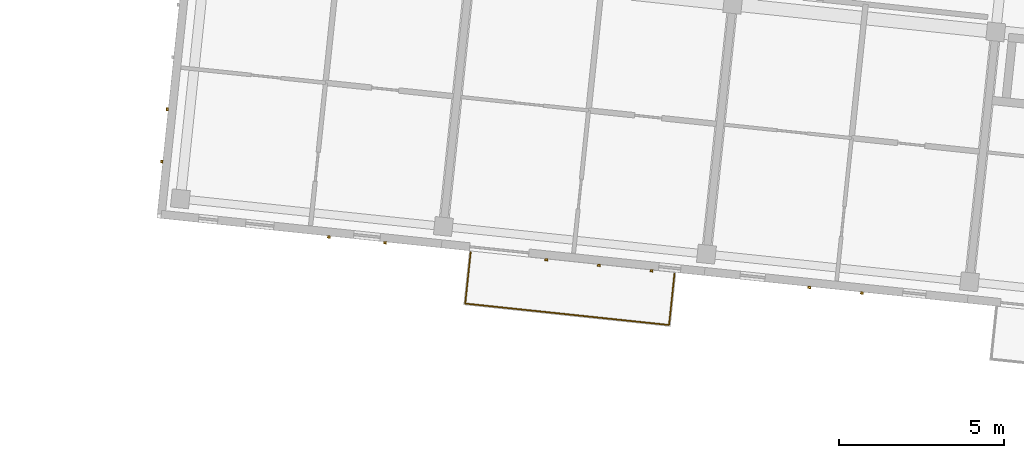
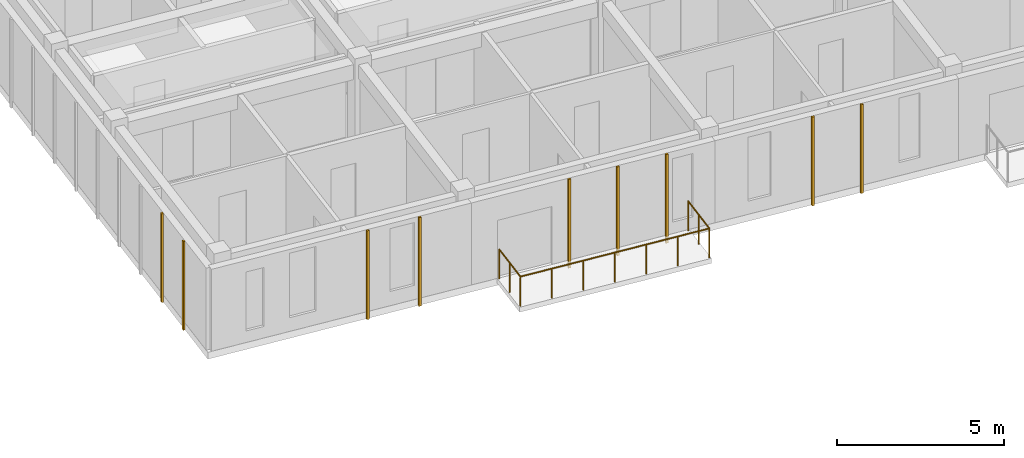
# One storey, part 59 of 68: 9 coverings, 1 railing.
"""IFC4 building model written with IfcOpenShell, lengths in metres."""

from ifc_helpers import new_model, si_unit, direction, frame, origin, origin_2d, place, context, subcontext, project, spatial, rectangle, circle, extrude, material, layer, layer_set, type_object, element, save


model = new_model("IFC4")

# Units and contexts
model_context = context("Model", 3, precision=1e-05, world=origin(), true_north=direction((0.0, 1.0)))
body_context = subcontext(model_context, "Body", "Model", "MODEL_VIEW")
ifc_project = project(units=[si_unit("LENGTHUNIT", "METRE"), si_unit("AREAUNIT", "SQUARE_METRE"), si_unit("VOLUMEUNIT", "CUBIC_METRE"), si_unit("PLANEANGLEUNIT", "RADIAN"), si_unit("MASSUNIT", "GRAM", prefix="KILO")], contexts=[model_context])

# Site, building, storey
site_placement = place(None, origin())
site = spatial("IfcSite", under=ifc_project, at=site_placement, CompositionType="ELEMENT")
building_placement = place(site_placement, origin())
building = spatial("IfcBuilding", under=site, at=building_placement, Name="Kestramere Prow Commons", CompositionType="ELEMENT")
storey_placement = place(building_placement, frame((0.0, 0.0, 18.14990234375)))
storey = spatial("IfcBuildingStorey", under=building, at=storey_placement, Name="L05", CompositionType="ELEMENT", Elevation=18.14990234375)

# Coverings
ifc_material_1 = material(Name="Weathered Zinc-Titanium Standing-Seam Cladding")
ifc_layer = layer(ifc_material_1, 0.074951171875)
ifc_layer_set = layer_set([ifc_layer], Name="Weathered Zinc-Titanium Standing-Seam Cladding")
covering_type = type_object("IfcCoveringType", Name="COV-CLAD-SEAM", PredefinedType="CLADDING", material=ifc_layer_set)
for number, where, z_axis, x_axis, name in (
    (1, (116.189697265625, 93.46826171875, -0.25), (0.0, 0.0, 1.0), (-0.994521895368, 0.104528463268, 0.0), "EW-B-L05-S-0 Standing-Seam Rib 1"),
    (2, (114.494140625, 93.646484375, -0.25), (0.0, 0.0, 1.0), (-0.994521895368, 0.104528463268, 0.0), "EW-B-L05-S-0 Standing-Seam Rib 2"),
    (3, (124.250244140625, 92.62109375, -0.25), (0.0, 0.0, 1.0), (-0.994521895368, 0.104528463268, 0.0), "EW-B-L05-S-1 Standing-Seam Rib 1"),
    (4, (122.6591796875, 92.788330078125, -0.25), (0.0, 0.0, 1.0), (-0.994521895368, 0.104528463268, 0.0), "EW-B-L05-S-1 Standing-Seam Rib 2"),
    (5, (121.06787109375, 92.95556640625, -0.25), (0.0, 0.0, 1.0), (-0.994521895368, 0.104528463268, 0.0), "EW-B-L05-S-1 Standing-Seam Rib 3"),
    (6, (130.615234375, 91.951904296875, -0.25), (0.0, 0.0, 1.0), (-0.994521895368, 0.104528463268, 0.0), "EW-B-L05-S-2 Standing-Seam Rib 2"),
    (7, (129.02392578125, 92.119384765625, -0.25), (0.0, 0.0, 1.0), (-0.994521895368, 0.104528463268, 0.0), "EW-B-L05-S-2 Standing-Seam Rib 3"),
    (8, (109.437255859375, 95.928466796875, -0.25), (0.0, 0.0, 1.0), (0.104528463268, 0.994521895368, 0.0), "EW-B-L05-EAV Standing-Seam Rib 1"),
    (9, (109.603515625, 97.50830078125, -0.25), (0.0, 0.0, 1.0), (0.104528463268, 0.994521895368, 0.0), "EW-B-L05-EAV Standing-Seam Rib 2"),
):
    element("IfcCovering", number, at=place(storey_placement, frame(where, z_axis=z_axis, x_axis=x_axis)), inside=storey, type_object=covering_type, Name=name, PredefinedType="CLADDING", context=body_context, shape_type="SweptSolid", body=[
        extrude(rectangle(XDim=0.0849609375, YDim=0.06494140625, at=origin_2d()), origin(), (0.0, 0.0, 1.0), 3.25),
    ])

# Railing
ifc_material_2 = material(Name="Powder-Coated Aluminium 6063-T6", Category="aluminium")
railing_type = type_object("IfcRailingType", Name="GRD-BALC-1100", PredefinedType="BALUSTRADE", material=ifc_material_2)
railing_placement = place(storey_placement, frame((118.779052734375, 93.18359375, 0.0)))
element("IfcRailing", 10, at=railing_placement, inside=storey, type_object=railing_type, Name="Block B L05 Balcony Guardrail 2", PredefinedType="BALUSTRADE", context=body_context, shape_type="SweptSolid", body=[
    extrude(circle(Radius=0.02392578125, at=origin_2d()), frame((0.0, 0.0, 1.076171875), z_axis=(-0.104538150424, -0.994520877159, 0.0), x_axis=(0.994520877159, -0.104538150424, 0.0)), (0.0, 0.0, 1.0), 1.56005859375),
    extrude(circle(Radius=0.02392578125, at=origin_2d()), frame((-0.1630859375, -1.551513671875, 1.076171875), z_axis=(0.994519899862, -0.104547447503, 0.0), x_axis=(0.104547447503, 0.994519899862, 0.0)), (0.0, 0.0, 1.0), 6.199951171875),
    extrude(circle(Radius=0.02392578125, at=origin_2d()), frame((6.0029296875, -2.19970703125, 1.076171875), z_axis=(0.104538150424, 0.994520877159, 0.0), x_axis=(-0.994520877159, 0.104538150424, 0.0)), (0.0, 0.0, 1.0), 1.56005859375),
    extrude(circle(Radius=0.02099609375, at=origin_2d()), origin(), (0.0, 0.0, 1.0), 1.052001953125),
    extrude(circle(Radius=0.02099609375, at=origin_2d()), frame((-0.08154296875, -0.77587890625, 0.0)), (0.0, 0.0, 1.0), 1.052001953125),
    extrude(circle(Radius=0.02099609375, at=origin_2d()), frame((-0.1630859375, -1.551513671875, 0.0)), (0.0, 0.0, 1.0), 1.052001953125),
    extrude(circle(Radius=0.02099609375, at=origin_2d()), frame((0.864501953125, -1.65966796875, 0.0)), (0.0, 0.0, 1.0), 1.052001953125),
    extrude(circle(Radius=0.02099609375, at=origin_2d()), frame((1.892333984375, -1.767578125, 0.0)), (0.0, 0.0, 1.0), 1.052001953125),
    extrude(circle(Radius=0.02099609375, at=origin_2d()), frame((2.919921875, -1.87548828125, 0.0)), (0.0, 0.0, 1.0), 1.052001953125),
    extrude(circle(Radius=0.02099609375, at=origin_2d()), frame((3.947509765625, -1.983642578125, 0.0)), (0.0, 0.0, 1.0), 1.052001953125),
    extrude(circle(Radius=0.02099609375, at=origin_2d()), frame((4.975341796875, -2.091796875, 0.0)), (0.0, 0.0, 1.0), 1.052001953125),
    extrude(circle(Radius=0.02099609375, at=origin_2d()), frame((6.0029296875, -2.19970703125, 0.0)), (0.0, 0.0, 1.0), 1.052001953125),
    extrude(circle(Radius=0.02099609375, at=origin_2d()), frame((6.08447265625, -1.423828125, 0.0)), (0.0, 0.0, 1.0), 1.052001953125),
    extrude(circle(Radius=0.02099609375, at=origin_2d()), frame((6.166015625, -0.648193359375, 0.0)), (0.0, 0.0, 1.0), 1.052001953125),
])

save(model, "model.ifc")
